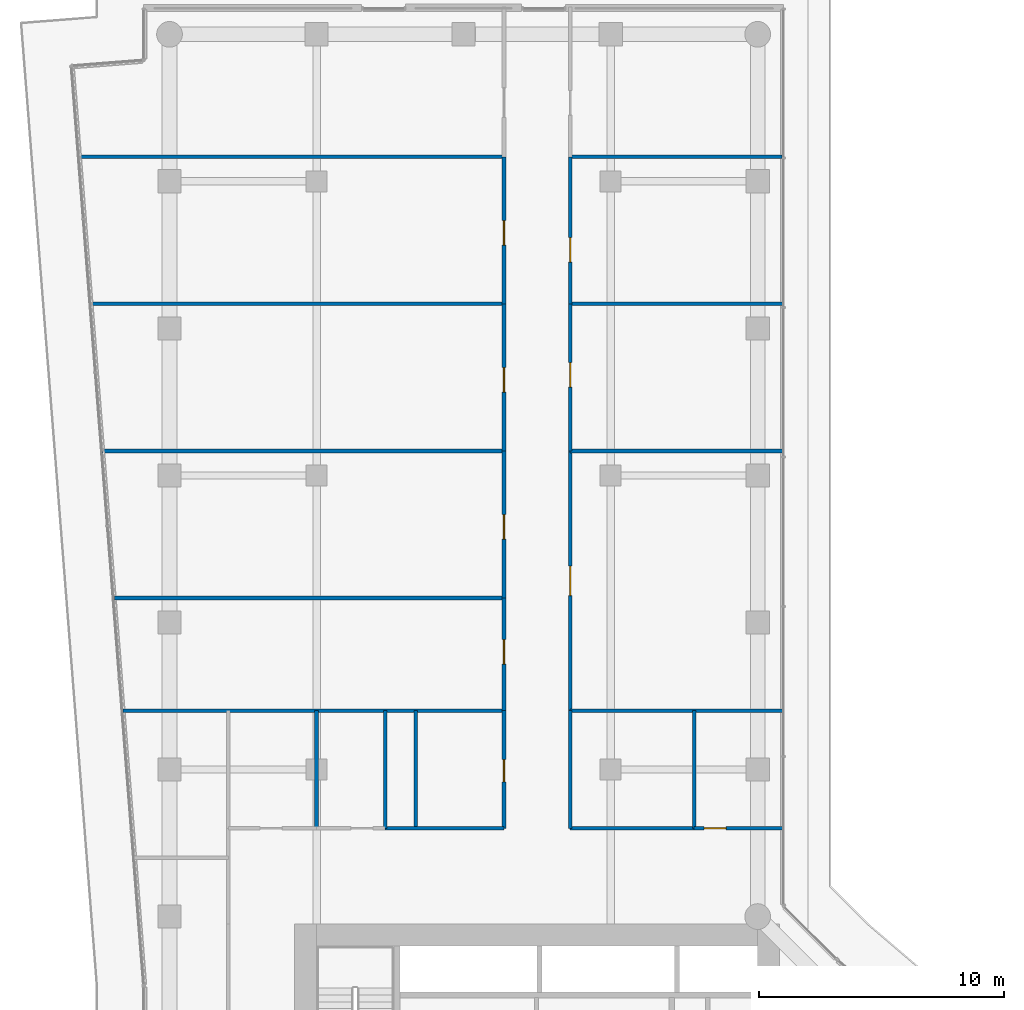
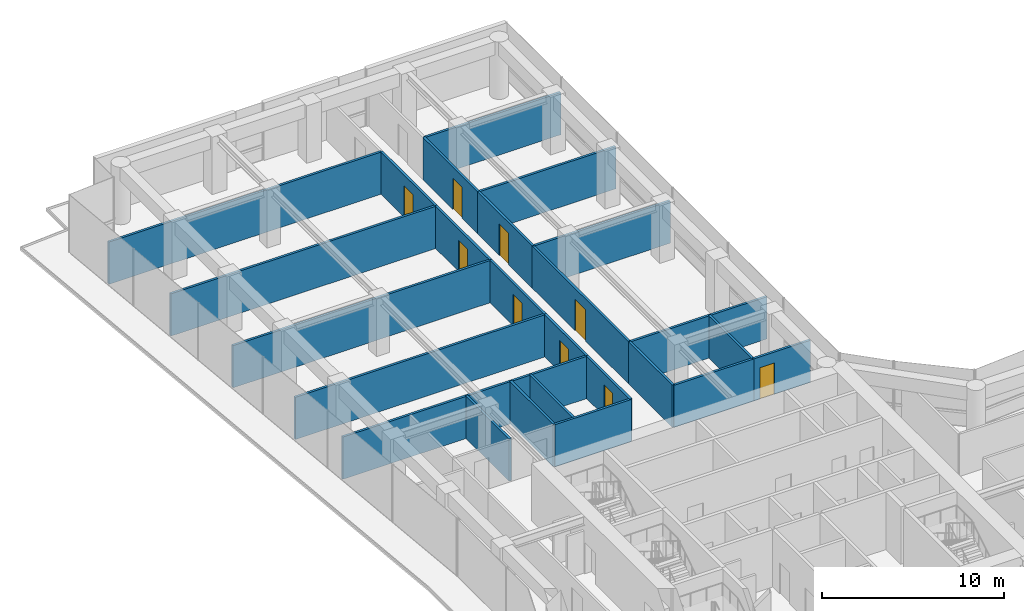
# One storey, part 24 of 28: 25 walls, 9 doors, 9 openings.
"""IFC4 building model written with IfcOpenShell, lengths in metres."""

from ifc_helpers import new_model, si_unit, direction, frame, frame_2d, origin, place, context, subcontext, project, spatial, rectangle, extrude, material, layer, layer_set, type_object, element, fill, save


model = new_model("IFC4")

# Units and contexts
model_context = context("Model", 3, precision=1e-05, world=origin(), true_north=direction((0.0, 1.0)))
body_context = subcontext(model_context, "Body", "Model", "MODEL_VIEW")
ifc_project = project(units=[si_unit("LENGTHUNIT", "METRE"), si_unit("AREAUNIT", "SQUARE_METRE"), si_unit("VOLUMEUNIT", "CUBIC_METRE"), si_unit("PLANEANGLEUNIT", "RADIAN"), si_unit("MASSUNIT", "GRAM", prefix="KILO")], contexts=[model_context])

# Site, building, storey
site_placement = place(None, origin())
site = spatial("IfcSite", under=ifc_project, at=site_placement, CompositionType="ELEMENT")
building_placement = place(site_placement, origin())
building = spatial("IfcBuilding", under=site, at=building_placement, Name="Welwitschia Terrace Campus", CompositionType="ELEMENT")
storey_placement = place(building_placement, frame((0.0, 0.0, 71.0)))
storey = spatial("IfcBuildingStorey", under=building, at=storey_placement, Name="L16", CompositionType="ELEMENT", Elevation=71.0)

# Walls
ifc_material_1 = material(Name="Gypsum board on steel studs", Category="steel")
ifc_layer = layer(ifc_material_1, 0.14990234375)
ifc_layer_set = layer_set([ifc_layer], Name="Gypsum board on steel studs")
wall_type = type_object("IfcWallType", Name="Corridor partition 150 EI 30", PredefinedType="PARTITIONING", material=ifc_layer_set)
wall_1_placement = place(storey_placement, frame((-3.669921875, 57.0, 0.0), z_axis=(0.0, 0.0, 1.0), x_axis=(1.0, 0.0, 0.0)))
element("IfcWall", 1, at=wall_1_placement, inside=storey, type_object=wall_type, Name="Partition", PredefinedType="PARTITIONING", context=body_context, shape_type="SweptSolid", body=[
    extrude(rectangle(XDim=17.31982421875, YDim=0.14990234375, at=frame_2d((8.659912109375, 0.0))), origin(), (0.0, 0.0, 1.0), 2.830078125),
])
wall_2_placement = place(storey_placement, frame((-3.199951171875, 51.0, 0.0), z_axis=(0.0, 0.0, 1.0), x_axis=(1.0, 0.0, 0.0)))
element("IfcWall", 2, at=wall_2_placement, inside=storey, type_object=wall_type, Name="Partition", PredefinedType="PARTITIONING", context=body_context, shape_type="SweptSolid", body=[
    extrude(rectangle(XDim=16.849853515625, YDim=0.14990234375, at=frame_2d((8.4248046875, 0.0))), origin(), (0.0, 0.0, 1.0), 2.830078125),
])
wall_3_placement = place(storey_placement, frame((-2.72998046875, 45.0, 0.0), z_axis=(0.0, 0.0, 1.0), x_axis=(1.0, 0.0, 0.0)))
element("IfcWall", 3, at=wall_3_placement, inside=storey, type_object=wall_type, Name="Partition", PredefinedType="PARTITIONING", context=body_context, shape_type="SweptSolid", body=[
    extrude(rectangle(XDim=16.3798828125, YDim=0.14990234375, at=frame_2d((8.18994140625, 0.0))), origin(), (0.0, 0.0, 1.0), 2.830078125),
])
wall_4_placement = place(storey_placement, frame((-2.25, 39.0, 0.0), z_axis=(0.0, 0.0, 1.0), x_axis=(1.0, 0.0, 0.0)))
element("IfcWall", 4, at=wall_4_placement, inside=storey, type_object=wall_type, Name="Partition", PredefinedType="PARTITIONING", context=body_context, shape_type="SweptSolid", body=[
    extrude(rectangle(XDim=15.89990234375, YDim=0.14990234375, at=frame_2d((7.949951171875, 0.0))), origin(), (0.0, 0.0, 1.0), 2.830078125),
])
wall_5_placement = place(storey_placement, frame((-1.889892578125, 34.39990234375, 0.0), z_axis=(0.0, 0.0, 1.0), x_axis=(1.0, 0.0, 0.0)))
element("IfcWall", 5, at=wall_5_placement, inside=storey, type_object=wall_type, Name="Partition", PredefinedType="PARTITIONING", context=body_context, shape_type="SweptSolid", body=[
    extrude(rectangle(XDim=15.539794921875, YDim=0.14990234375, at=frame_2d((7.77001953125, 0.0))), origin(), (0.0, 0.0, 1.0), 2.830078125),
])
for number, where, z_axis, x_axis, name in (
    (6, (6.0, 29.60009765625, 0.0), (0.0, 0.0, 1.0), (0.0, 1.0, 0.0), "Partition"),
    (7, (8.800048828125, 29.60009765625, 0.0), (0.0, 0.0, 1.0), (0.0, 1.0, 0.0), "Partition"),
):
    element("IfcWall", number, at=place(storey_placement, frame(where, z_axis=z_axis, x_axis=x_axis)), inside=storey, type_object=wall_type, Name=name, PredefinedType="PARTITIONING", context=body_context, shape_type="SweptSolid", body=[
        extrude(rectangle(XDim=4.7998046875, YDim=0.14990234375, at=frame_2d((2.39990234375, 0.0))), origin(), (0.0, 0.0, 1.0), 2.830078125),
    ])
wall_6_placement = place(storey_placement, frame((8.800048828125, 29.60009765625, 0.0), z_axis=(0.0, 0.0, 1.0), x_axis=(1.0, 0.0, 0.0)))
element("IfcWall", 8, at=wall_6_placement, inside=storey, type_object=wall_type, Name="Partition", PredefinedType="PARTITIONING", context=body_context, shape_type="SweptSolid", body=[
    extrude(rectangle(XDim=4.849853515625, YDim=0.14990234375, at=frame_2d((2.4248046875, 0.0))), origin(), (0.0, 0.0, 1.0), 2.830078125),
])
wall_7_placement = place(storey_placement, frame((10.050048828125, 29.60009765625, 0.0), z_axis=(0.0, 0.0, 1.0), x_axis=(0.0, 1.0, 0.0)))
element("IfcWall", 9, at=wall_7_placement, inside=storey, type_object=wall_type, Name="Partition", PredefinedType="PARTITIONING", context=body_context, shape_type="SweptSolid", body=[
    extrude(rectangle(XDim=4.7998046875, YDim=0.14990234375, at=frame_2d((2.39990234375, 0.0))), origin(), (0.0, 0.0, 1.0), 2.830078125),
])

# Wall, opening, door
wall_8_placement = place(storey_placement, frame((13.64990234375, 29.60009765625, 0.0), z_axis=(0.0, 0.0, 1.0), x_axis=(0.0, 1.0, 0.0)))
wall_8 = element("IfcWall", 10, at=wall_8_placement, inside=storey, type_object=wall_type, Name="Partition", PredefinedType="PARTITIONING", context=body_context, shape_type="SweptSolid", body=[
    extrude(rectangle(XDim=4.7998046875, YDim=0.14990234375, at=frame_2d((2.39990234375, 0.0))), origin(), (0.0, 0.0, 1.0), 2.830078125),
])
opening_1_placement = place(wall_8_placement, frame((1.89990234375, 0.0, 0.0)))
opening_1 = element("IfcOpeningElement", 11, at=opening_1_placement, cuts=wall_8, Name="Opening DI09", PredefinedType="OPENING", context=body_context, shape_type="SweptSolid", body=[
    extrude(rectangle(XDim=0.89990234375, YDim=2.10009765625, at=frame_2d((0.449951171875, 1.050048828125))), frame((0.0, 0.0849609375, 0.0), z_axis=(0.0, -1.0, 0.0), x_axis=(1.0, 0.0, 0.0)), (0.0, 0.0, 1.0), 0.169921875),
])
ifc_material_2 = material(Name="Timber veneered door", Category="wood")
door_type_1 = type_object("IfcDoorType", Name="Interior door DI09", OperationType="NOTDEFINED", PredefinedType="DOOR", material=ifc_material_2)
door_1_placement = place(opening_1_placement, origin())
door_1 = element("IfcDoor", 12, at=door_1_placement, inside=storey, type_object=door_type_1, Name="Door L16 362", OperationType="SINGLE_SWING_LEFT", OverallHeight=2.10009765625, OverallWidth=0.89990234375, PredefinedType="DOOR", context=body_context, shape_type="SweptSolid", body=[
    extrude(rectangle(XDim=0.89990234375, YDim=2.10009765625, at=frame_2d((0.449951171875, 1.050048828125))), frame((0.0, 0.02490234375, 0.0), z_axis=(0.0, -1.0, 0.0), x_axis=(1.0, 0.0, 0.0)), (0.0, 0.0, 1.0), 0.050048828125),
])
fill(opening_1, door_1)

wall_9_placement = place(storey_placement, frame((13.64990234375, 34.39990234375, 0.0), z_axis=(0.0, 0.0, 1.0), x_axis=(0.0, 1.0, 0.0)))
wall_9 = element("IfcWall", 13, at=wall_9_placement, inside=storey, type_object=wall_type, Name="Partition", PredefinedType="PARTITIONING", context=body_context, shape_type="SweptSolid", body=[
    extrude(rectangle(XDim=4.60009765625, YDim=0.14990234375, at=frame_2d((2.300048828125, 0.0))), origin(), (0.0, 0.0, 1.0), 2.830078125),
])
opening_2_placement = place(wall_9_placement, frame((1.89990234375, 0.0, 0.0)))
opening_2 = element("IfcOpeningElement", 14, at=opening_2_placement, cuts=wall_9, Name="Opening DI10", PredefinedType="OPENING", context=body_context, shape_type="SweptSolid", body=[
    extrude(rectangle(XDim=1.0, YDim=2.10009765625, at=frame_2d((0.5, 1.050048828125))), frame((0.0, 0.0849609375, 0.0), z_axis=(0.0, -1.0, 0.0), x_axis=(1.0, 0.0, 0.0)), (0.0, 0.0, 1.0), 0.169921875),
])
ifc_material_3 = material(Name="Timber veneered door", Category="wood")
door_type_2 = type_object("IfcDoorType", Name="Interior door DI10", OperationType="NOTDEFINED", PredefinedType="DOOR", material=ifc_material_3)
door_2_placement = place(opening_2_placement, origin())
door_2 = element("IfcDoor", 15, at=door_2_placement, inside=storey, type_object=door_type_2, Name="Door L16 363", OperationType="SINGLE_SWING_RIGHT", OverallHeight=2.10009765625, OverallWidth=1.0, PredefinedType="DOOR", context=body_context, shape_type="SweptSolid", body=[
    extrude(rectangle(XDim=1.0, YDim=2.10009765625, at=frame_2d((0.5, 1.050048828125))), frame((0.0, 0.02490234375, 0.0), z_axis=(0.0, -1.0, 0.0), x_axis=(1.0, 0.0, 0.0)), (0.0, 0.0, 1.0), 0.050048828125),
])
fill(opening_2, door_2)

wall_10_placement = place(storey_placement, frame((13.64990234375, 39.0, 0.0), z_axis=(0.0, 0.0, 1.0), x_axis=(0.0, 1.0, 0.0)))
wall_10 = element("IfcWall", 16, at=wall_10_placement, inside=storey, type_object=wall_type, Name="Partition", PredefinedType="PARTITIONING", context=body_context, shape_type="SweptSolid", body=[
    extrude(rectangle(XDim=6.0, YDim=0.14990234375, at=frame_2d((3.0, 0.0))), origin(), (0.0, 0.0, 1.0), 2.830078125),
])
opening_3_placement = place(wall_10_placement, frame((2.39990234375, 0.0, 0.0)))
opening_3 = element("IfcOpeningElement", 17, at=opening_3_placement, cuts=wall_10, Name="Opening DI10", PredefinedType="OPENING", context=body_context, shape_type="SweptSolid", body=[
    extrude(rectangle(XDim=1.0, YDim=2.10009765625, at=frame_2d((0.5, 1.050048828125))), frame((0.0, 0.0849609375, 0.0), z_axis=(0.0, -1.0, 0.0), x_axis=(1.0, 0.0, 0.0)), (0.0, 0.0, 1.0), 0.169921875),
])
door_3_placement = place(opening_3_placement, origin())
door_3 = element("IfcDoor", 18, at=door_3_placement, inside=storey, type_object=door_type_2, Name="Door L16 364", OperationType="SINGLE_SWING_LEFT", OverallHeight=2.10009765625, OverallWidth=1.0, PredefinedType="DOOR", context=body_context, shape_type="SweptSolid", body=[
    extrude(rectangle(XDim=1.0, YDim=2.10009765625, at=frame_2d((0.5, 1.050048828125))), frame((0.0, 0.02490234375, 0.0), z_axis=(0.0, -1.0, 0.0), x_axis=(1.0, 0.0, 0.0)), (0.0, 0.0, 1.0), 0.050048828125),
])
fill(opening_3, door_3)

wall_11_placement = place(storey_placement, frame((13.64990234375, 45.0, 0.0), z_axis=(0.0, 0.0, 1.0), x_axis=(0.0, 1.0, 0.0)))
wall_11 = element("IfcWall", 19, at=wall_11_placement, inside=storey, type_object=wall_type, Name="Partition", PredefinedType="PARTITIONING", context=body_context, shape_type="SweptSolid", body=[
    extrude(rectangle(XDim=6.0, YDim=0.14990234375, at=frame_2d((3.0, 0.0))), origin(), (0.0, 0.0, 1.0), 2.830078125),
])
opening_4_placement = place(wall_11_placement, frame((2.39990234375, 0.0, 0.0)))
opening_4 = element("IfcOpeningElement", 20, at=opening_4_placement, cuts=wall_11, Name="Opening DI10", PredefinedType="OPENING", context=body_context, shape_type="SweptSolid", body=[
    extrude(rectangle(XDim=1.0, YDim=2.10009765625, at=frame_2d((0.5, 1.050048828125))), frame((0.0, 0.0849609375, 0.0), z_axis=(0.0, -1.0, 0.0), x_axis=(1.0, 0.0, 0.0)), (0.0, 0.0, 1.0), 0.169921875),
])
door_4_placement = place(opening_4_placement, origin())
door_4 = element("IfcDoor", 21, at=door_4_placement, inside=storey, type_object=door_type_2, Name="Door L16 365", OperationType="SINGLE_SWING_RIGHT", OverallHeight=2.10009765625, OverallWidth=1.0, PredefinedType="DOOR", context=body_context, shape_type="SweptSolid", body=[
    extrude(rectangle(XDim=1.0, YDim=2.10009765625, at=frame_2d((0.5, 1.050048828125))), frame((0.0, 0.02490234375, 0.0), z_axis=(0.0, -1.0, 0.0), x_axis=(1.0, 0.0, 0.0)), (0.0, 0.0, 1.0), 0.050048828125),
])
fill(opening_4, door_4)

wall_12_placement = place(storey_placement, frame((13.64990234375, 51.0, 0.0), z_axis=(0.0, 0.0, 1.0), x_axis=(0.0, 1.0, 0.0)))
wall_12 = element("IfcWall", 22, at=wall_12_placement, inside=storey, type_object=wall_type, Name="Partition", PredefinedType="PARTITIONING", context=body_context, shape_type="SweptSolid", body=[
    extrude(rectangle(XDim=6.0, YDim=0.14990234375, at=frame_2d((3.0, 0.0))), origin(), (0.0, 0.0, 1.0), 2.830078125),
])
opening_5_placement = place(wall_12_placement, frame((2.39990234375, 0.0, 0.0)))
opening_5 = element("IfcOpeningElement", 23, at=opening_5_placement, cuts=wall_12, Name="Opening DI10", PredefinedType="OPENING", context=body_context, shape_type="SweptSolid", body=[
    extrude(rectangle(XDim=1.0, YDim=2.10009765625, at=frame_2d((0.5, 1.050048828125))), frame((0.0, 0.0849609375, 0.0), z_axis=(0.0, -1.0, 0.0), x_axis=(1.0, 0.0, 0.0)), (0.0, 0.0, 1.0), 0.169921875),
])
door_5_placement = place(opening_5_placement, origin())
door_5 = element("IfcDoor", 24, at=door_5_placement, inside=storey, type_object=door_type_2, Name="Door L16 366", OperationType="SINGLE_SWING_LEFT", OverallHeight=2.10009765625, OverallWidth=1.0, PredefinedType="DOOR", context=body_context, shape_type="SweptSolid", body=[
    extrude(rectangle(XDim=1.0, YDim=2.10009765625, at=frame_2d((0.5, 1.050048828125))), frame((0.0, 0.02490234375, 0.0), z_axis=(0.0, -1.0, 0.0), x_axis=(1.0, 0.0, 0.0)), (0.0, 0.0, 1.0), 0.050048828125),
])
fill(opening_5, door_5)

# Walls
wall_13_placement = place(storey_placement, frame((16.35009765625, 29.60009765625, 0.0), z_axis=(0.0, 0.0, 1.0), x_axis=(0.0, 1.0, 0.0)))
element("IfcWall", 25, at=wall_13_placement, inside=storey, type_object=wall_type, Name="Partition", PredefinedType="PARTITIONING", context=body_context, shape_type="SweptSolid", body=[
    extrude(rectangle(XDim=4.7998046875, YDim=0.14990234375, at=frame_2d((2.39990234375, 0.0))), origin(), (0.0, 0.0, 1.0), 2.830078125),
])
wall_14_placement = place(storey_placement, frame((16.35009765625, 29.60009765625, 0.0), z_axis=(0.0, 0.0, 1.0), x_axis=(1.0, 0.0, 0.0)))
element("IfcWall", 26, at=wall_14_placement, inside=storey, type_object=wall_type, Name="Partition", PredefinedType="PARTITIONING", context=body_context, shape_type="SweptSolid", body=[
    extrude(rectangle(XDim=5.059814453125, YDim=0.14990234375, at=frame_2d((2.52978515625, 0.0))), origin(), (0.0, 0.0, 1.0), 2.830078125),
])
wall_15_placement = place(storey_placement, frame((16.35009765625, 34.39990234375, 0.0), z_axis=(0.0, 0.0, 1.0), x_axis=(1.0, 0.0, 0.0)))
element("IfcWall", 27, at=wall_15_placement, inside=storey, type_object=wall_type, Name="Partition", PredefinedType="PARTITIONING", context=body_context, shape_type="SweptSolid", body=[
    extrude(rectangle(XDim=8.659912109375, YDim=0.14990234375, at=frame_2d((4.330078125, 0.0))), origin(), (0.0, 0.0, 1.0), 2.830078125),
])

# Wall, opening, door
wall_16_placement = place(storey_placement, frame((16.35009765625, 45.0, 0.0), z_axis=(0.0, 0.0, 1.0), x_axis=(0.0, -1.0, 0.0)))
wall_16 = element("IfcWall", 28, at=wall_16_placement, inside=storey, type_object=wall_type, Name="Partition", PredefinedType="PARTITIONING", context=body_context, shape_type="SweptSolid", body=[
    extrude(rectangle(XDim=10.60009765625, YDim=0.14990234375, at=frame_2d((5.300048828125, 0.0))), origin(), (0.0, 0.0, 1.0), 2.830078125),
])
opening_6_placement = place(wall_16_placement, frame((4.699951171875, 0.0, 0.0)))
opening_6 = element("IfcOpeningElement", 29, at=opening_6_placement, cuts=wall_16, Name="Opening DI12", PredefinedType="OPENING", context=body_context, shape_type="SweptSolid", body=[
    extrude(rectangle(XDim=1.199951171875, YDim=2.10009765625, at=frame_2d((0.60009765625, 1.050048828125))), frame((0.0, 0.0849609375, 0.0), z_axis=(0.0, -1.0, 0.0), x_axis=(1.0, 0.0, 0.0)), (0.0, 0.0, 1.0), 0.169921875),
])
ifc_material_4 = material(Name="Timber veneered door", Category="wood")
door_type_3 = type_object("IfcDoorType", Name="Interior door DI12", OperationType="NOTDEFINED", PredefinedType="DOOR", material=ifc_material_4)
door_6_placement = place(opening_6_placement, origin())
door_6 = element("IfcDoor", 30, at=door_6_placement, inside=storey, type_object=door_type_3, Name="Door L16 368", OperationType="SINGLE_SWING_LEFT", OverallHeight=2.10009765625, OverallWidth=1.199951171875, PredefinedType="DOOR", context=body_context, shape_type="SweptSolid", body=[
    extrude(rectangle(XDim=1.199951171875, YDim=2.10009765625, at=frame_2d((0.60009765625, 1.050048828125))), frame((0.0, 0.02490234375, 0.0), z_axis=(0.0, -1.0, 0.0), x_axis=(1.0, 0.0, 0.0)), (0.0, 0.0, 1.0), 0.050048828125),
])
fill(opening_6, door_6)

# Wall
wall_17_placement = place(storey_placement, frame((16.35009765625, 45.0, 0.0), z_axis=(0.0, 0.0, 1.0), x_axis=(1.0, 0.0, 0.0)))
element("IfcWall", 31, at=wall_17_placement, inside=storey, type_object=wall_type, Name="Partition", PredefinedType="PARTITIONING", context=body_context, shape_type="SweptSolid", body=[
    extrude(rectangle(XDim=8.659912109375, YDim=0.14990234375, at=frame_2d((4.330078125, 0.0))), origin(), (0.0, 0.0, 1.0), 2.830078125),
])

# Wall, opening, door
wall_18_placement = place(storey_placement, frame((16.35009765625, 51.0, 0.0), z_axis=(0.0, 0.0, 1.0), x_axis=(0.0, -1.0, 0.0)))
wall_18 = element("IfcWall", 32, at=wall_18_placement, inside=storey, type_object=wall_type, Name="Partition", PredefinedType="PARTITIONING", context=body_context, shape_type="SweptSolid", body=[
    extrude(rectangle(XDim=6.0, YDim=0.14990234375, at=frame_2d((3.0, 0.0))), origin(), (0.0, 0.0, 1.0), 2.830078125),
])
opening_7_placement = place(wall_18_placement, frame((2.39990234375, 0.0, 0.0)))
opening_7 = element("IfcOpeningElement", 33, at=opening_7_placement, cuts=wall_18, Name="Opening DI10", PredefinedType="OPENING", context=body_context, shape_type="SweptSolid", body=[
    extrude(rectangle(XDim=1.0, YDim=2.10009765625, at=frame_2d((0.5, 1.050048828125))), frame((0.0, 0.0849609375, 0.0), z_axis=(0.0, -1.0, 0.0), x_axis=(1.0, 0.0, 0.0)), (0.0, 0.0, 1.0), 0.169921875),
])
door_7_placement = place(opening_7_placement, origin())
door_7 = element("IfcDoor", 34, at=door_7_placement, inside=storey, type_object=door_type_2, Name="Door L16 369", OperationType="SINGLE_SWING_RIGHT", OverallHeight=2.10009765625, OverallWidth=1.0, PredefinedType="DOOR", context=body_context, shape_type="SweptSolid", body=[
    extrude(rectangle(XDim=1.0, YDim=2.10009765625, at=frame_2d((0.5, 1.050048828125))), frame((0.0, 0.02490234375, 0.0), z_axis=(0.0, -1.0, 0.0), x_axis=(1.0, 0.0, 0.0)), (0.0, 0.0, 1.0), 0.050048828125),
])
fill(opening_7, door_7)

# Wall
wall_19_placement = place(storey_placement, frame((16.35009765625, 51.0, 0.0), z_axis=(0.0, 0.0, 1.0), x_axis=(1.0, 0.0, 0.0)))
element("IfcWall", 35, at=wall_19_placement, inside=storey, type_object=wall_type, Name="Partition", PredefinedType="PARTITIONING", context=body_context, shape_type="SweptSolid", body=[
    extrude(rectangle(XDim=8.659912109375, YDim=0.14990234375, at=frame_2d((4.330078125, 0.0))), origin(), (0.0, 0.0, 1.0), 2.830078125),
])

# Wall, opening, door
wall_20_placement = place(storey_placement, frame((16.35009765625, 57.0, 0.0), z_axis=(0.0, 0.0, 1.0), x_axis=(0.0, -1.0, 0.0)))
wall_20 = element("IfcWall", 36, at=wall_20_placement, inside=storey, type_object=wall_type, Name="Partition", PredefinedType="PARTITIONING", context=body_context, shape_type="SweptSolid", body=[
    extrude(rectangle(XDim=6.0, YDim=0.14990234375, at=frame_2d((3.0, 0.0))), origin(), (0.0, 0.0, 1.0), 2.830078125),
])
opening_8_placement = place(wall_20_placement, frame((3.300048828125, 0.0, 0.0)))
opening_8 = element("IfcOpeningElement", 37, at=opening_8_placement, cuts=wall_20, Name="Opening DI10", PredefinedType="OPENING", context=body_context, shape_type="SweptSolid", body=[
    extrude(rectangle(XDim=1.0, YDim=2.10009765625, at=frame_2d((0.5, 1.050048828125))), frame((0.0, 0.0849609375, 0.0), z_axis=(0.0, -1.0, 0.0), x_axis=(1.0, 0.0, 0.0)), (0.0, 0.0, 1.0), 0.169921875),
])
door_8_placement = place(opening_8_placement, origin())
door_8 = element("IfcDoor", 38, at=door_8_placement, inside=storey, type_object=door_type_2, Name="Door L16 370", OperationType="SINGLE_SWING_LEFT", OverallHeight=2.10009765625, OverallWidth=1.0, PredefinedType="DOOR", context=body_context, shape_type="SweptSolid", body=[
    extrude(rectangle(XDim=1.0, YDim=2.10009765625, at=frame_2d((0.5, 1.050048828125))), frame((0.0, 0.02490234375, 0.0), z_axis=(0.0, -1.0, 0.0), x_axis=(1.0, 0.0, 0.0)), (0.0, 0.0, 1.0), 0.050048828125),
])
fill(opening_8, door_8)

# Walls
wall_21_placement = place(storey_placement, frame((16.35009765625, 57.0, 0.0), z_axis=(0.0, 0.0, 1.0), x_axis=(1.0, 0.0, 0.0)))
element("IfcWall", 39, at=wall_21_placement, inside=storey, type_object=wall_type, Name="Partition", PredefinedType="PARTITIONING", context=body_context, shape_type="SweptSolid", body=[
    extrude(rectangle(XDim=8.642822265625, YDim=0.14990234375, at=frame_2d((4.3212890625, 0.0))), origin(), (0.0, 0.0, 1.0), 2.830078125),
])
wall_22_placement = place(storey_placement, frame((21.409912109375, 29.60009765625, 0.0), z_axis=(0.0, 0.0, 1.0), x_axis=(0.0, 1.0, 0.0)))
element("IfcWall", 40, at=wall_22_placement, inside=storey, type_object=wall_type, Name="Partition", PredefinedType="PARTITIONING", context=body_context, shape_type="SweptSolid", body=[
    extrude(rectangle(XDim=4.7998046875, YDim=0.14990234375, at=frame_2d((2.39990234375, 0.0))), origin(), (0.0, 0.0, 1.0), 2.830078125),
])

# Wall, opening, door
wall_23_placement = place(storey_placement, frame((21.409912109375, 29.60009765625, 0.0), z_axis=(0.0, 0.0, 1.0), x_axis=(1.0, 0.0, 0.0)))
wall_23 = element("IfcWall", 41, at=wall_23_placement, inside=storey, type_object=wall_type, Name="Partition", PredefinedType="PARTITIONING", context=body_context, shape_type="SweptSolid", body=[
    extrude(rectangle(XDim=3.60009765625, YDim=0.14990234375, at=frame_2d((1.800048828125, 0.0))), origin(), (0.0, 0.0, 1.0), 2.830078125),
])
opening_9_placement = place(wall_23_placement, frame((0.39990234375, 0.0, 0.0)))
opening_9 = element("IfcOpeningElement", 42, at=opening_9_placement, cuts=wall_23, Name="Opening DI09", PredefinedType="OPENING", context=body_context, shape_type="SweptSolid", body=[
    extrude(rectangle(XDim=0.89990234375, YDim=2.10009765625, at=frame_2d((0.449951171875, 1.050048828125))), frame((0.0, 0.0849609375, 0.0), z_axis=(0.0, -1.0, 0.0), x_axis=(1.0, 0.0, 0.0)), (0.0, 0.0, 1.0), 0.169921875),
])
door_9_placement = place(opening_9_placement, origin())
door_9 = element("IfcDoor", 43, at=door_9_placement, inside=storey, type_object=door_type_1, Name="Door L16 372", OperationType="SINGLE_SWING_LEFT", OverallHeight=2.10009765625, OverallWidth=0.89990234375, PredefinedType="DOOR", context=body_context, shape_type="SweptSolid", body=[
    extrude(rectangle(XDim=0.89990234375, YDim=2.10009765625, at=frame_2d((0.449951171875, 1.050048828125))), frame((0.0, 0.02490234375, 0.0), z_axis=(0.0, -1.0, 0.0), x_axis=(1.0, 0.0, 0.0)), (0.0, 0.0, 1.0), 0.050048828125),
])
fill(opening_9, door_9)

save(model, "model.ifc")
